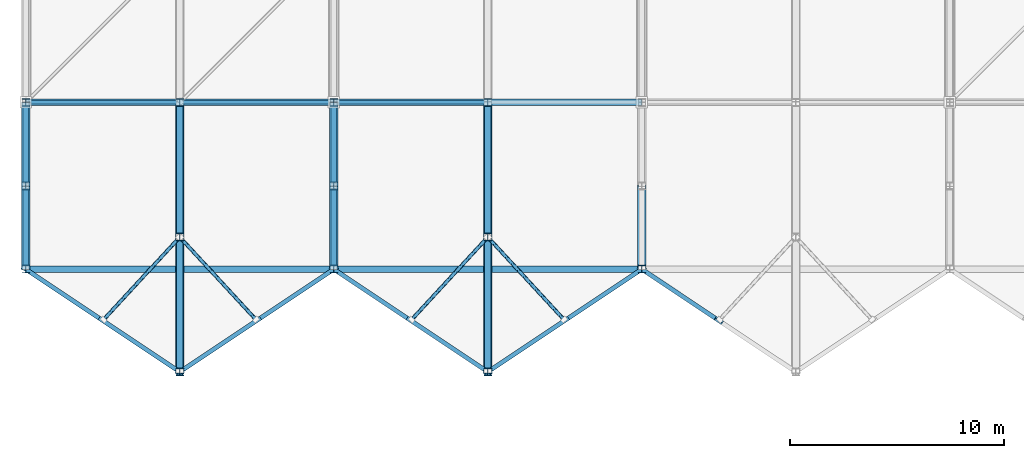
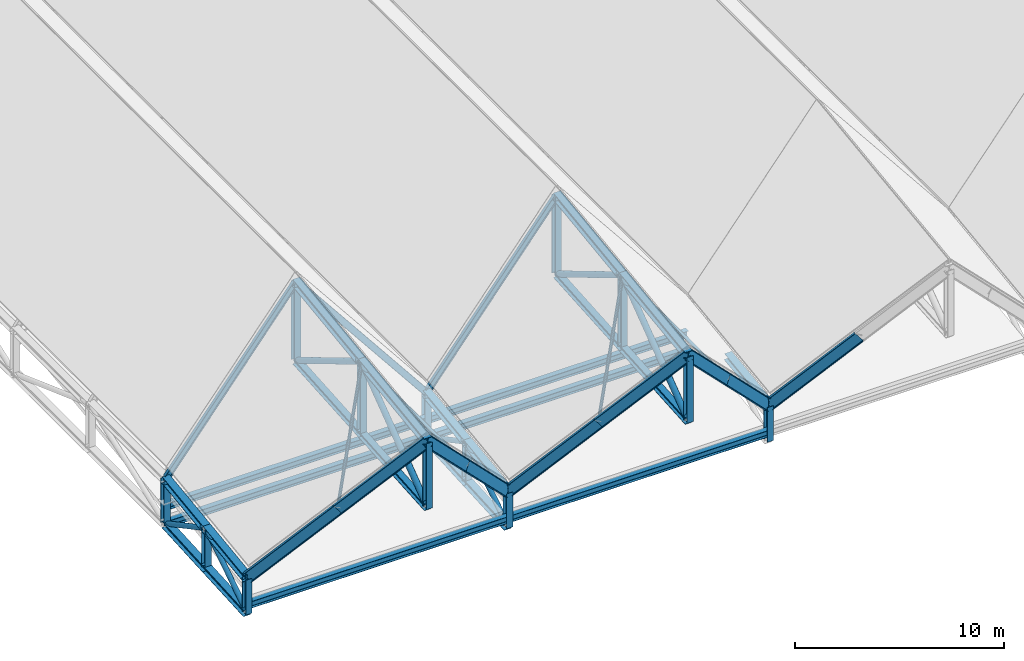
# One storey, part 3 of 60: 54 members, 6 beams.
"""IFC4 building model written with IfcOpenShell, lengths in metres."""

from ifc_helpers import new_model, si_unit, direction, frame, origin, origin_2d, place, context, subcontext, project, spatial, hollow_circle, i_section, extrude, material, material_profile, profile_set, type_object, element, save


model = new_model("IFC4")

# Units and contexts
model_context = context("Model", 3, precision=1e-05, world=origin(), true_north=direction((0.0, 1.0)))
body_context = subcontext(model_context, "Body", "Model", "MODEL_VIEW")
ifc_project = project(units=[si_unit("LENGTHUNIT", "METRE"), si_unit("AREAUNIT", "SQUARE_METRE"), si_unit("VOLUMEUNIT", "CUBIC_METRE"), si_unit("PLANEANGLEUNIT", "RADIAN"), si_unit("MASSUNIT", "GRAM", prefix="KILO")], contexts=[model_context])

# Site, building, storey
site_placement = place(None, origin())
site = spatial("IfcSite", under=ifc_project, at=site_placement, CompositionType="ELEMENT")
building_placement = place(site_placement, origin())
building = spatial("IfcBuilding", under=site, at=building_placement, Name="Vesperath Aquatics Centre", CompositionType="ELEMENT")
storey_placement = place(building_placement, frame((0.0, 0.0, 27.60009765625)))
storey = spatial("IfcBuildingStorey", under=building, at=storey_placement, Name="RF", CompositionType="ELEMENT", Elevation=27.60009765625)

# Beams
ifc_material_1 = material(Name="Steel Q355C", Category="steel")
ifc_material_profile_1 = material_profile(ifc_material_1, i_section(OverallWidth=0.300048828125, OverallDepth=0.389892578125, WebThickness=0.010009765625, FlangeThickness=0.01611328125, FilletRadius=0.02197265625, at=origin_2d()), Name="HM 390x300x10x16")
ifc_profile_set_1 = profile_set([ifc_material_profile_1], Name="Steel Q355C")
beam_type_1 = type_object("IfcBeamType", Name="BM-RB02", PredefinedType="BEAM", material=ifc_profile_set_1)
for number, where, z_axis, x_axis, name in (
    (1, (0.0, 6.60009765625, -12.400146484375), (1.0, 0.0, 0.0), (0.0, 1.0, 0.0), "Natatorium Roof Deck Support Beam B11 G1-6.6"),
    (2, (0.0, 14.39990234375, -12.400146484375), (1.0, 0.0, 0.0), (0.0, 1.0, 0.0), "Natatorium Roof Deck Support Beam B11 G1-14.4"),
):
    element("IfcBeam", number, at=place(storey_placement, frame(where, z_axis=z_axis, x_axis=x_axis)), inside=storey, type_object=beam_type_1, Name=name, PredefinedType="BEAM", context=body_context, shape_type="SweptSolid", body=[
        extrude(i_section(OverallWidth=0.300048828125, OverallDepth=0.389892578125, WebThickness=0.010009765625, FlangeThickness=0.01611328125, FilletRadius=0.02197265625, at=origin_2d()), origin(), (0.0, 0.0, 1.0), 14.39990234375),
    ])
for number, where, z_axis, x_axis, name in (
    (3, (14.39990234375, 6.60009765625, -12.400146484375), (1.0, 0.0, 0.0), (0.0, 1.0, 0.0), "Natatorium Roof Deck Support Beam B11 G2-6.6"),
    (4, (14.39990234375, 14.39990234375, -12.400146484375), (1.0, 0.0, 0.0), (0.0, 1.0, 0.0), "Natatorium Roof Deck Support Beam B11 G2-14.4"),
):
    element("IfcBeam", number, at=place(storey_placement, frame(where, z_axis=z_axis, x_axis=x_axis)), inside=storey, type_object=beam_type_1, Name=name, PredefinedType="BEAM", context=body_context, shape_type="SweptSolid", body=[
        extrude(i_section(OverallWidth=0.300048828125, OverallDepth=0.389892578125, WebThickness=0.010009765625, FlangeThickness=0.01611328125, FilletRadius=0.02197265625, at=origin_2d()), origin(), (0.0, 0.0, 1.0), 14.400146484375),
    ])
ifc_material_profile_2 = material_profile(ifc_material_1, i_section(OverallWidth=0.300048828125, OverallDepth=0.389892578125, WebThickness=0.010009765625, FlangeThickness=0.01611328125, FilletRadius=0.02197265625, at=origin_2d()), Name="HM 390x300x10x16")
ifc_profile_set_2 = profile_set([ifc_material_profile_2], Name="Steel Q355C")
beam_type_2 = type_object("IfcBeamType", Name="BM-RB06", PredefinedType="BEAM", material=ifc_profile_set_2)
beam_1_placement = place(storey_placement, frame((0.0, 14.39990234375, -11.359375), z_axis=(1.0, 0.0, 0.0), x_axis=(0.0, 1.0, 0.0)))
element("IfcBeam", 5, at=beam_1_placement, inside=storey, type_object=beam_type_2, Name="Natatorium Roof Deck Support Beam B11 G1-14.4", PredefinedType="BEAM", context=body_context, shape_type="SweptSolid", body=[
    extrude(i_section(OverallWidth=0.300048828125, OverallDepth=0.389892578125, WebThickness=0.010009765625, FlangeThickness=0.01611328125, FilletRadius=0.02197265625, at=origin_2d()), origin(), (0.0, 0.0, 1.0), 14.39990234375),
])
beam_2_placement = place(storey_placement, frame((14.39990234375, 14.39990234375, -11.359375), z_axis=(1.0, 0.0, 0.0), x_axis=(0.0, 1.0, 0.0)))
element("IfcBeam", 6, at=beam_2_placement, inside=storey, type_object=beam_type_2, Name="Natatorium Roof Deck Support Beam B11 G2-14.4", PredefinedType="BEAM", context=body_context, shape_type="SweptSolid", body=[
    extrude(i_section(OverallWidth=0.300048828125, OverallDepth=0.389892578125, WebThickness=0.010009765625, FlangeThickness=0.01611328125, FilletRadius=0.02197265625, at=origin_2d()), origin(), (0.0, 0.0, 1.0), 14.400146484375),
])

# Members
ifc_material_2 = material(Name="Steel Q355D", Category="steel")
ifc_material_profile_3 = material_profile(ifc_material_2, i_section(OverallWidth=0.199951171875, OverallDepth=0.60009765625, WebThickness=0.010986328125, FlangeThickness=0.01708984375, FilletRadius=0.02197265625, at=origin_2d()), Name="HN 600x200x11x17")
ifc_profile_set_3 = profile_set([ifc_material_profile_3], Name="Steel Q355D")
member_type_1 = type_object("IfcMemberType", Name="MB-AR01", PredefinedType="RAFTER", material=ifc_profile_set_3)
member_1_placement = place(storey_placement, frame((0.0, 6.60009765625, -10.8408203125), z_axis=(0.598412396248, -0.398955124611, 0.694793071759), x_axis=(0.554713217289, 0.832041613482, 0.0)))
element("IfcMember", 7, at=member_1_placement, inside=storey, type_object=member_type_1, Name="Natatorium Cutback Hood Verge Rafter AR01 B1A", PredefinedType="RAFTER", context=body_context, shape_type="SweptSolid", body=[
    extrude(i_section(OverallWidth=0.199951171875, OverallDepth=0.60009765625, WebThickness=0.010986328125, FlangeThickness=0.01708984375, FilletRadius=0.02197265625, at=origin_2d()), origin(), (0.0, 0.0, 1.0), 6.01611328125),
])
member_2_placement = place(storey_placement, frame((3.60009765625, 4.199951171875, -6.660888671875), z_axis=(0.598412907941, -0.398941938627, 0.69480020237), x_axis=(0.554700196225, 0.832050294338, 0.0)))
element("IfcMember", 8, at=member_2_placement, inside=storey, type_object=member_type_1, Name="Natatorium Cutback Hood Verge Rafter AR01 B1B", PredefinedType="RAFTER", context=body_context, shape_type="SweptSolid", body=[
    extrude(i_section(OverallWidth=0.199951171875, OverallDepth=0.60009765625, WebThickness=0.010986328125, FlangeThickness=0.01708984375, FilletRadius=0.02197265625, at=origin_2d()), origin(), (0.0, 0.0, 1.0), 6.015625),
])
for number, where, z_axis, x_axis, name in (
    (9, (14.39990234375, 6.60009765625, -10.8408203125), (-0.598386346033, -0.398964813011, 0.694809944417), (0.554739260842, -0.832024249935, 0.0), "Natatorium Cutback Hood Verge Rafter AR01 B2A"),
    (10, (10.800048828125, 4.199951171875, -6.660888671875), (-0.598438958022, -0.398932249922, 0.694783328451), (0.554674152876, -0.832067655982, 0.0), "Natatorium Cutback Hood Verge Rafter AR01 B2B"),
):
    element("IfcMember", number, at=place(storey_placement, frame(where, z_axis=z_axis, x_axis=x_axis)), inside=storey, type_object=member_type_1, Name=name, PredefinedType="RAFTER", context=body_context, shape_type="SweptSolid", body=[
        extrude(i_section(OverallWidth=0.199951171875, OverallDepth=0.60009765625, WebThickness=0.010986328125, FlangeThickness=0.01708984375, FilletRadius=0.02197265625, at=origin_2d()), origin(), (0.0, 0.0, 1.0), 6.015869140625),
    ])
member_3_placement = place(storey_placement, frame((14.39990234375, 6.60009765625, -10.8408203125), z_axis=(0.598412396248, -0.398955124611, 0.694793071759), x_axis=(0.554713217289, 0.832041613482, 0.0)))
element("IfcMember", 11, at=member_3_placement, inside=storey, type_object=member_type_1, Name="Natatorium Cutback Hood Verge Rafter AR01 B3A", PredefinedType="RAFTER", context=body_context, shape_type="SweptSolid", body=[
    extrude(i_section(OverallWidth=0.199951171875, OverallDepth=0.60009765625, WebThickness=0.010986328125, FlangeThickness=0.01708984375, FilletRadius=0.02197265625, at=origin_2d()), origin(), (0.0, 0.0, 1.0), 6.01611328125),
])
member_4_placement = place(storey_placement, frame((18.0, 4.199951171875, -6.660888671875), z_axis=(0.598438958022, -0.398932249922, 0.694783328451), x_axis=(0.554674152876, 0.832067655982, 0.0)))
element("IfcMember", 12, at=member_4_placement, inside=storey, type_object=member_type_1, Name="Natatorium Cutback Hood Verge Rafter AR01 B3B", PredefinedType="RAFTER", context=body_context, shape_type="SweptSolid", body=[
    extrude(i_section(OverallWidth=0.199951171875, OverallDepth=0.60009765625, WebThickness=0.010986328125, FlangeThickness=0.01708984375, FilletRadius=0.02197265625, at=origin_2d()), origin(), (0.0, 0.0, 1.0), 6.015869140625),
])
member_5_placement = place(storey_placement, frame((28.800048828125, 6.60009765625, -10.8408203125), z_axis=(-0.598412396248, -0.398955124611, 0.694793071759), x_axis=(0.554713217289, -0.832041613482, 0.0)))
element("IfcMember", 13, at=member_5_placement, inside=storey, type_object=member_type_1, Name="Natatorium Cutback Hood Verge Rafter AR01 B4A", PredefinedType="RAFTER", context=body_context, shape_type="SweptSolid", body=[
    extrude(i_section(OverallWidth=0.199951171875, OverallDepth=0.60009765625, WebThickness=0.010986328125, FlangeThickness=0.01708984375, FilletRadius=0.02197265625, at=origin_2d()), origin(), (0.0, 0.0, 1.0), 6.01611328125),
])
member_6_placement = place(storey_placement, frame((25.199951171875, 4.199951171875, -6.660888671875), z_axis=(-0.598412907941, -0.398941938627, 0.69480020237), x_axis=(0.554700196225, -0.832050294338, 0.0)))
element("IfcMember", 14, at=member_6_placement, inside=storey, type_object=member_type_1, Name="Natatorium Cutback Hood Verge Rafter AR01 B4B", PredefinedType="RAFTER", context=body_context, shape_type="SweptSolid", body=[
    extrude(i_section(OverallWidth=0.199951171875, OverallDepth=0.60009765625, WebThickness=0.010986328125, FlangeThickness=0.01708984375, FilletRadius=0.02197265625, at=origin_2d()), origin(), (0.0, 0.0, 1.0), 6.015625),
])
member_7_placement = place(storey_placement, frame((28.800048828125, 6.60009765625, -10.8408203125), z_axis=(0.598386346033, -0.398964813011, 0.694809944417), x_axis=(0.554739260842, 0.832024249935, 0.0)))
element("IfcMember", 15, at=member_7_placement, inside=storey, type_object=member_type_1, Name="Natatorium Cutback Hood Verge Rafter AR01 B5A", PredefinedType="RAFTER", context=body_context, shape_type="SweptSolid", body=[
    extrude(i_section(OverallWidth=0.199951171875, OverallDepth=0.60009765625, WebThickness=0.010986328125, FlangeThickness=0.01708984375, FilletRadius=0.02197265625, at=origin_2d()), origin(), (0.0, 0.0, 1.0), 6.015869140625),
])
ifc_material_profile_4 = material_profile(ifc_material_2, i_section(OverallWidth=0.39990234375, OverallDepth=0.39990234375, WebThickness=0.012939453125, FlangeThickness=0.02099609375, FilletRadius=0.02197265625, at=origin_2d()), Name="HW 400x400x13x21")
ifc_profile_set_4 = profile_set([ifc_material_profile_4], Name="Steel Q355D")
member_type_2 = type_object("IfcMemberType", Name="MB-BC01", PredefinedType="CHORD", material=ifc_profile_set_4)
for number, where, z_axis, x_axis, name in (
    (16, (0.0, 6.60009765625, -12.868408203125), (0.0, 0.998202752751, 0.059927159127), (-1.0, 0.0, 0.0), "Natatorium ROOF TRUSS Bottom Chord BC01 G1-1"),
    (17, (0.0, 10.5, -12.63427734375), (0.0, 0.998202752751, 0.059927159127), (-1.0, 0.0, 0.0), "Natatorium ROOF TRUSS Bottom Chord BC01 G1-2"),
    (18, (14.39990234375, 6.60009765625, -12.868408203125), (0.0, 0.998202752751, 0.059927159127), (-1.0, 0.0, 0.0), "Natatorium ROOF TRUSS Bottom Chord BC01 G3-1"),
    (19, (14.39990234375, 10.5, -12.63427734375), (0.0, 0.998202752751, 0.059927159127), (-1.0, 0.0, 0.0), "Natatorium ROOF TRUSS Bottom Chord BC01 G3-2"),
):
    element("IfcMember", number, at=place(storey_placement, frame(where, z_axis=z_axis, x_axis=x_axis)), inside=storey, type_object=member_type_2, Name=name, PredefinedType="CHORD", context=body_context, shape_type="SweptSolid", body=[
        extrude(i_section(OverallWidth=0.39990234375, OverallDepth=0.39990234375, WebThickness=0.012939453125, FlangeThickness=0.02099609375, FilletRadius=0.02197265625, at=origin_2d()), origin(), (0.0, 0.0, 1.0), 3.906982421875),
    ])
ifc_material_profile_5 = material_profile(ifc_material_2, i_section(OverallWidth=0.35009765625, OverallDepth=0.35009765625, WebThickness=0.011962890625, FlangeThickness=0.01904296875, FilletRadius=0.02001953125, at=origin_2d()), Name="HW 350x350x12x19")
ifc_profile_set_5 = profile_set([ifc_material_profile_5], Name="Steel Q355D")
member_type_3 = type_object("IfcMemberType", Name="MB-BC02", PredefinedType="CHORD", material=ifc_profile_set_5)
member_8_placement = place(storey_placement, frame((7.199951171875, 1.800048828125, -6.32470703125), z_axis=(0.0, 0.997317301509, 0.073199727536), x_axis=(-1.0, 0.0, 0.0)))
element("IfcMember", 20, at=member_8_placement, inside=storey, type_object=member_type_3, Name="Natatorium ROOF TRUSS Bottom Chord BC02 G2-1", PredefinedType="CHORD", context=body_context, shape_type="SweptSolid", body=[
    extrude(i_section(OverallWidth=0.35009765625, OverallDepth=0.35009765625, WebThickness=0.011962890625, FlangeThickness=0.01904296875, FilletRadius=0.02001953125, at=origin_2d()), origin(), (0.0, 0.0, 1.0), 6.31689453125),
])
member_9_placement = place(storey_placement, frame((7.199951171875, 8.10009765625, -5.8623046875), z_axis=(0.0, 0.997319915346, 0.07316410633), x_axis=(-1.0, 0.0, 0.0)))
element("IfcMember", 21, at=member_9_placement, inside=storey, type_object=member_type_3, Name="Natatorium ROOF TRUSS Bottom Chord BC02 G2-2", PredefinedType="CHORD", context=body_context, shape_type="SweptSolid", body=[
    extrude(i_section(OverallWidth=0.35009765625, OverallDepth=0.35009765625, WebThickness=0.011962890625, FlangeThickness=0.01904296875, FilletRadius=0.02001953125, at=origin_2d()), origin(), (0.0, 0.0, 1.0), 6.316650390625),
])
member_10_placement = place(storey_placement, frame((21.60009765625, 1.800048828125, -6.32470703125), z_axis=(0.0, 0.997317301509, 0.073199727536), x_axis=(-1.0, 0.0, 0.0)))
element("IfcMember", 22, at=member_10_placement, inside=storey, type_object=member_type_3, Name="Natatorium ROOF TRUSS Bottom Chord BC02 G4-1", PredefinedType="CHORD", context=body_context, shape_type="SweptSolid", body=[
    extrude(i_section(OverallWidth=0.35009765625, OverallDepth=0.35009765625, WebThickness=0.011962890625, FlangeThickness=0.01904296875, FilletRadius=0.02001953125, at=origin_2d()), origin(), (0.0, 0.0, 1.0), 6.31689453125),
])
member_11_placement = place(storey_placement, frame((21.60009765625, 8.10009765625, -5.8623046875), z_axis=(0.0, 0.997319915346, 0.07316410633), x_axis=(-1.0, 0.0, 0.0)))
element("IfcMember", 23, at=member_11_placement, inside=storey, type_object=member_type_3, Name="Natatorium ROOF TRUSS Bottom Chord BC02 G4-2", PredefinedType="CHORD", context=body_context, shape_type="SweptSolid", body=[
    extrude(i_section(OverallWidth=0.35009765625, OverallDepth=0.35009765625, WebThickness=0.011962890625, FlangeThickness=0.01904296875, FilletRadius=0.02001953125, at=origin_2d()), origin(), (0.0, 0.0, 1.0), 6.316650390625),
])
ifc_material_profile_6 = material_profile(ifc_material_2, hollow_circle(Radius=0.084228515625, WallThickness=0.008056640625, at=origin_2d()), Name="CHS 168.3x8")
ifc_profile_set_6 = profile_set([ifc_material_profile_6], Name="Steel Q355D")
member_type_4 = type_object("IfcMemberType", Name="MB-BR01", PredefinedType="BRACE", material=ifc_profile_set_6)
for number, where, z_axis, x_axis, name in (
    (24, (3.639404296875, 4.24267578125, -6.60595703125), (0.49276760829, 0.533834422765, 0.687168751684), (-0.734805247598, 0.67827814951, 0.0), "Natatorium Cutback Hood Tie Brace BR01 B1"),
    (25, (10.760498046875, 4.24267578125, -6.60595703125), (-0.492741738274, 0.533843410105, 0.687180320476), (-0.73482868654, -0.678252756306, 0.0), "Natatorium Cutback Hood Tie Brace BR01 B2"),
    (26, (18.039306640625, 4.24267578125, -6.60595703125), (0.49276760829, 0.533834422765, 0.687168751684), (-0.734805247598, 0.67827814951, 0.0), "Natatorium Cutback Hood Tie Brace BR01 B3"),
    (27, (25.16064453125, 4.24267578125, -6.60595703125), (-0.49276760829, 0.533834422765, 0.687168751684), (-0.734805247598, -0.67827814951, 0.0), "Natatorium Cutback Hood Tie Brace BR01 B4"),
):
    element("IfcMember", number, at=place(storey_placement, frame(where, z_axis=z_axis, x_axis=x_axis)), inside=storey, type_object=member_type_4, Name=name, PredefinedType="BRACE", context=body_context, shape_type="SweptSolid", body=[
        extrude(hollow_circle(Radius=0.084228515625, WallThickness=0.008056640625, at=origin_2d()), origin(), (0.0, 0.0, 1.0), 7.145751953125),
    ])
ifc_material_profile_7 = material_profile(ifc_material_1, i_section(OverallWidth=0.175048828125, OverallDepth=0.35009765625, WebThickness=0.007080078125, FlangeThickness=0.010986328125, FilletRadius=0.012939453125, at=origin_2d()), Name="HN 350x175x7x11")
ifc_profile_set_7 = profile_set([ifc_material_profile_7], Name="Steel Q355C")
member_type_5 = type_object("IfcMemberType", Name="MB-PR01", PredefinedType="PURLIN", material=ifc_profile_set_7)
for number, where, z_axis, x_axis, name in (
    (28, (0.0, 14.39990234375, -9.800048828125), (0.624692464322, 0.0, 0.780870876022), (0.0, 1.0, 0.0), "Natatorium Roof Purlin PR01 B1-1"),
    (29, (7.199951171875, 14.39990234375, -0.800048828125), (0.624692464322, 0.0, -0.780870876022), (0.0, 1.0, 0.0), "Natatorium Roof Purlin PR01 B2-1"),
    (30, (14.39990234375, 14.39990234375, -9.800048828125), (0.624705380279, 0.0, 0.780860543151), (0.0, 1.0, 0.0), "Natatorium Roof Purlin PR01 B3-1"),
):
    element("IfcMember", number, at=place(storey_placement, frame(where, z_axis=z_axis, x_axis=x_axis)), inside=storey, type_object=member_type_5, Name=name, PredefinedType="PURLIN", context=body_context, shape_type="SweptSolid", body=[
        extrude(i_section(OverallWidth=0.175048828125, OverallDepth=0.35009765625, WebThickness=0.007080078125, FlangeThickness=0.010986328125, FilletRadius=0.012939453125, at=origin_2d()), origin(), (0.0, 0.0, 1.0), 11.525634765625),
    ])
ifc_material_profile_8 = material_profile(ifc_material_2, i_section(OverallWidth=0.406982421875, OverallDepth=0.427978515625, WebThickness=0.02001953125, FlangeThickness=0.034912109375, FilletRadius=0.02197265625, at=origin_2d()), Name="HW 428x407x20x35")
ifc_profile_set_8 = profile_set([ifc_material_profile_8], Name="Steel Q355D")
member_type_6 = type_object("IfcMemberType", Name="MB-TC01", PredefinedType="CHORD", material=ifc_profile_set_8)
member_12_placement = place(storey_placement, frame((7.199951171875, 1.800048828125, -2.481201171875), z_axis=(0.0, 0.991216155177, 0.132251781526), x_axis=(-1.0, 0.0, 0.0)))
element("IfcMember", 31, at=member_12_placement, inside=storey, type_object=member_type_6, Name="Natatorium ROOF TRUSS Top Chord TC01 G2-1", PredefinedType="CHORD", context=body_context, shape_type="SweptSolid", body=[
    extrude(i_section(OverallWidth=0.406982421875, OverallDepth=0.427978515625, WebThickness=0.02001953125, FlangeThickness=0.034912109375, FilletRadius=0.02197265625, at=origin_2d()), origin(), (0.0, 0.0, 1.0), 6.35595703125),
])
member_13_placement = place(storey_placement, frame((7.199951171875, 8.10009765625, -1.640625), z_axis=(0.0, 0.991215483296, 0.132256817121), x_axis=(-1.0, 0.0, 0.0)))
element("IfcMember", 32, at=member_13_placement, inside=storey, type_object=member_type_6, Name="Natatorium ROOF TRUSS Top Chord TC01 G2-2", PredefinedType="CHORD", context=body_context, shape_type="SweptSolid", body=[
    extrude(i_section(OverallWidth=0.406982421875, OverallDepth=0.427978515625, WebThickness=0.02001953125, FlangeThickness=0.034912109375, FilletRadius=0.02197265625, at=origin_2d()), origin(), (0.0, 0.0, 1.0), 6.355712890625),
])
member_14_placement = place(storey_placement, frame((21.60009765625, 1.800048828125, -2.481201171875), z_axis=(0.0, 0.991216155177, 0.132251781526), x_axis=(-1.0, 0.0, 0.0)))
element("IfcMember", 33, at=member_14_placement, inside=storey, type_object=member_type_6, Name="Natatorium ROOF TRUSS Top Chord TC01 G4-1", PredefinedType="CHORD", context=body_context, shape_type="SweptSolid", body=[
    extrude(i_section(OverallWidth=0.406982421875, OverallDepth=0.427978515625, WebThickness=0.02001953125, FlangeThickness=0.034912109375, FilletRadius=0.02197265625, at=origin_2d()), origin(), (0.0, 0.0, 1.0), 6.35595703125),
])
member_15_placement = place(storey_placement, frame((21.60009765625, 8.10009765625, -1.640625), z_axis=(0.0, 0.991215483296, 0.132256817121), x_axis=(-1.0, 0.0, 0.0)))
element("IfcMember", 34, at=member_15_placement, inside=storey, type_object=member_type_6, Name="Natatorium ROOF TRUSS Top Chord TC01 G4-2", PredefinedType="CHORD", context=body_context, shape_type="SweptSolid", body=[
    extrude(i_section(OverallWidth=0.406982421875, OverallDepth=0.427978515625, WebThickness=0.02001953125, FlangeThickness=0.034912109375, FilletRadius=0.02197265625, at=origin_2d()), origin(), (0.0, 0.0, 1.0), 6.355712890625),
])
ifc_material_profile_9 = material_profile(ifc_material_2, i_section(OverallWidth=0.39990234375, OverallDepth=0.39990234375, WebThickness=0.012939453125, FlangeThickness=0.02099609375, FilletRadius=0.02197265625, at=origin_2d()), Name="HW 400x400x13x21")
ifc_profile_set_9 = profile_set([ifc_material_profile_9], Name="Steel Q355D")
member_type_7 = type_object("IfcMemberType", Name="MB-TC02", PredefinedType="CHORD", material=ifc_profile_set_9)
for number, where, z_axis, x_axis, name in (
    (35, (0.0, 6.60009765625, -10.8408203125), (0.0, 0.991218685313, 0.132232816978), (-1.0, 0.0, 0.0), "Natatorium ROOF TRUSS Top Chord TC02 G1-1"),
    (36, (0.0, 10.5, -10.320556640625), (0.0, 0.991210550247, 0.132293783218), (-1.0, 0.0, 0.0), "Natatorium ROOF TRUSS Top Chord TC02 G1-2"),
    (37, (14.39990234375, 6.60009765625, -10.8408203125), (0.0, 0.991218685313, 0.132232816978), (-1.0, 0.0, 0.0), "Natatorium ROOF TRUSS Top Chord TC02 G3-1"),
    (38, (14.39990234375, 10.5, -10.320556640625), (0.0, 0.991210550247, 0.132293783218), (-1.0, 0.0, 0.0), "Natatorium ROOF TRUSS Top Chord TC02 G3-2"),
    (39, (28.800048828125, 6.60009765625, -10.8408203125), (0.0, 0.991218685313, 0.132232816978), (-1.0, 0.0, 0.0), "Natatorium ROOF TRUSS Top Chord TC02 G5-1"),
):
    element("IfcMember", number, at=place(storey_placement, frame(where, z_axis=z_axis, x_axis=x_axis)), inside=storey, type_object=member_type_7, Name=name, PredefinedType="CHORD", context=body_context, shape_type="SweptSolid", body=[
        extrude(i_section(OverallWidth=0.39990234375, OverallDepth=0.39990234375, WebThickness=0.012939453125, FlangeThickness=0.02099609375, FilletRadius=0.02197265625, at=origin_2d()), origin(), (0.0, 0.0, 1.0), 3.9345703125),
    ])
ifc_material_profile_10 = material_profile(ifc_material_2, hollow_circle(Radius=0.161865234375, WallThickness=0.013916015625, at=origin_2d()), Name="CHS 323.9x14")
ifc_profile_set_10 = profile_set([ifc_material_profile_10], Name="Steel Q355D")
member_type_8 = type_object("IfcMemberType", Name="MB-TD01", PredefinedType="BRACE", material=ifc_profile_set_10)
member_16_placement = place(storey_placement, frame((7.199951171875, 1.8642578125, -6.277099609375), z_axis=(0.0, 0.802495859329, 0.596657687254), x_axis=(-1.0, 0.0, 0.0)))
element("IfcMember", 40, at=member_16_placement, inside=storey, type_object=member_type_8, Name="Natatorium ROOF TRUSS Diagonal TD01 G2-1", PredefinedType="BRACE", context=body_context, shape_type="SweptSolid", body=[
    extrude(hollow_circle(Radius=0.161865234375, WallThickness=0.013916015625, at=origin_2d()), origin(), (0.0, 0.0, 1.0), 7.6904296875),
])
member_17_placement = place(storey_placement, frame((7.199951171875, 8.168701171875, -1.681640625), z_axis=(0.0, 0.858724173278, -0.51243808819), x_axis=(-1.0, 0.0, 0.0)))
element("IfcMember", 41, at=member_17_placement, inside=storey, type_object=member_type_8, Name="Natatorium ROOF TRUSS Diagonal TD01 G2-2", PredefinedType="BRACE", context=body_context, shape_type="SweptSolid", body=[
    extrude(hollow_circle(Radius=0.161865234375, WallThickness=0.013916015625, at=origin_2d()), origin(), (0.0, 0.0, 1.0), 7.176513671875),
])
member_18_placement = place(storey_placement, frame((21.60009765625, 1.8642578125, -6.277099609375), z_axis=(0.0, 0.802495859329, 0.596657687254), x_axis=(-1.0, 0.0, 0.0)))
element("IfcMember", 42, at=member_18_placement, inside=storey, type_object=member_type_8, Name="Natatorium ROOF TRUSS Diagonal TD01 G4-1", PredefinedType="BRACE", context=body_context, shape_type="SweptSolid", body=[
    extrude(hollow_circle(Radius=0.161865234375, WallThickness=0.013916015625, at=origin_2d()), origin(), (0.0, 0.0, 1.0), 7.6904296875),
])
member_19_placement = place(storey_placement, frame((21.60009765625, 8.168701171875, -1.681640625), z_axis=(0.0, 0.858724173278, -0.51243808819), x_axis=(-1.0, 0.0, 0.0)))
element("IfcMember", 43, at=member_19_placement, inside=storey, type_object=member_type_8, Name="Natatorium ROOF TRUSS Diagonal TD01 G4-2", PredefinedType="BRACE", context=body_context, shape_type="SweptSolid", body=[
    extrude(hollow_circle(Radius=0.161865234375, WallThickness=0.013916015625, at=origin_2d()), origin(), (0.0, 0.0, 1.0), 7.176513671875),
])
ifc_material_profile_11 = material_profile(ifc_material_2, hollow_circle(Radius=0.136474609375, WallThickness=0.011962890625, at=origin_2d()), Name="CHS 273.0x12")
ifc_profile_set_11 = profile_set([ifc_material_profile_11], Name="Steel Q355D")
member_type_9 = type_object("IfcMemberType", Name="MB-TD02", PredefinedType="BRACE", material=ifc_profile_set_11)
member_20_placement = place(storey_placement, frame((0.0, 6.6669921875, -12.82470703125), z_axis=(0.0, 0.837174151823, 0.546936412684), x_axis=(-1.0, 0.0, 0.0)))
element("IfcMember", 44, at=member_20_placement, inside=storey, type_object=member_type_9, Name="Natatorium ROOF TRUSS Diagonal TD02 G1-1", PredefinedType="BRACE", context=body_context, shape_type="SweptSolid", body=[
    extrude(hollow_circle(Radius=0.136474609375, WallThickness=0.011962890625, at=origin_2d()), origin(), (0.0, 0.0, 1.0), 4.49853515625),
])
member_21_placement = place(storey_placement, frame((0.0, 10.570556640625, -10.358154296875), z_axis=(0.0, 0.882381496589, -0.470534689984), x_axis=(-1.0, 0.0, 0.0)))
element("IfcMember", 45, at=member_21_placement, inside=storey, type_object=member_type_9, Name="Natatorium ROOF TRUSS Diagonal TD02 G1-2", PredefinedType="BRACE", context=body_context, shape_type="SweptSolid", body=[
    extrude(hollow_circle(Radius=0.136474609375, WallThickness=0.011962890625, at=origin_2d()), origin(), (0.0, 0.0, 1.0), 4.259765625),
])
member_22_placement = place(storey_placement, frame((14.39990234375, 6.6669921875, -12.82470703125), z_axis=(0.0, 0.837174151823, 0.546936412684), x_axis=(-1.0, 0.0, 0.0)))
element("IfcMember", 46, at=member_22_placement, inside=storey, type_object=member_type_9, Name="Natatorium ROOF TRUSS Diagonal TD02 G3-1", PredefinedType="BRACE", context=body_context, shape_type="SweptSolid", body=[
    extrude(hollow_circle(Radius=0.136474609375, WallThickness=0.011962890625, at=origin_2d()), origin(), (0.0, 0.0, 1.0), 4.49853515625),
])
member_23_placement = place(storey_placement, frame((14.39990234375, 10.570556640625, -10.358154296875), z_axis=(0.0, 0.882381496589, -0.470534689984), x_axis=(-1.0, 0.0, 0.0)))
element("IfcMember", 47, at=member_23_placement, inside=storey, type_object=member_type_9, Name="Natatorium ROOF TRUSS Diagonal TD02 G3-2", PredefinedType="BRACE", context=body_context, shape_type="SweptSolid", body=[
    extrude(hollow_circle(Radius=0.136474609375, WallThickness=0.011962890625, at=origin_2d()), origin(), (0.0, 0.0, 1.0), 4.259765625),
])
ifc_material_profile_12 = material_profile(ifc_material_2, i_section(OverallWidth=0.35009765625, OverallDepth=0.35009765625, WebThickness=0.011962890625, FlangeThickness=0.01904296875, FilletRadius=0.02001953125, at=origin_2d()), Name="HW 350x350x12x19")
ifc_profile_set_12 = profile_set([ifc_material_profile_12], Name="Steel Q355D")
member_type_10 = type_object("IfcMemberType", Name="MB-TP01", PredefinedType="POST", material=ifc_profile_set_12)
member_24_placement = place(storey_placement, frame((0.0, 6.60009765625, -12.868408203125), z_axis=(0.0, 0.0, 1.0), x_axis=(1.0, 0.0, 0.0)))
element("IfcMember", 48, at=member_24_placement, inside=storey, type_object=member_type_10, Name="Natatorium ROOF TRUSS Post TP01 G1-1", PredefinedType="POST", context=body_context, shape_type="SweptSolid", body=[
    extrude(i_section(OverallWidth=0.35009765625, OverallDepth=0.35009765625, WebThickness=0.011962890625, FlangeThickness=0.01904296875, FilletRadius=0.02001953125, at=origin_2d()), origin(), (0.0, 0.0, 1.0), 2.027587890625),
])
member_25_placement = place(storey_placement, frame((0.0, 10.5, -12.63427734375), z_axis=(0.0, 0.0, 1.0), x_axis=(1.0, 0.0, 0.0)))
element("IfcMember", 49, at=member_25_placement, inside=storey, type_object=member_type_10, Name="Natatorium ROOF TRUSS Post TP01 G1-2", PredefinedType="POST", context=body_context, shape_type="SweptSolid", body=[
    extrude(i_section(OverallWidth=0.35009765625, OverallDepth=0.35009765625, WebThickness=0.011962890625, FlangeThickness=0.01904296875, FilletRadius=0.02001953125, at=origin_2d()), origin(), (0.0, 0.0, 1.0), 2.313720703125),
])
member_26_placement = place(storey_placement, frame((0.0, 14.39990234375, -12.400146484375), z_axis=(0.0, 0.0, 1.0), x_axis=(1.0, 0.0, 0.0)))
element("IfcMember", 50, at=member_26_placement, inside=storey, type_object=member_type_10, Name="Natatorium ROOF TRUSS Post TP01 G1-3", PredefinedType="POST", context=body_context, shape_type="SweptSolid", body=[
    extrude(i_section(OverallWidth=0.35009765625, OverallDepth=0.35009765625, WebThickness=0.011962890625, FlangeThickness=0.01904296875, FilletRadius=0.02001953125, at=origin_2d()), origin(), (0.0, 0.0, 1.0), 2.60009765625),
])
member_27_placement = place(storey_placement, frame((7.199951171875, 1.800048828125, -6.32470703125), z_axis=(0.0, 0.0, 1.0), x_axis=(1.0, 0.0, 0.0)))
element("IfcMember", 51, at=member_27_placement, inside=storey, type_object=member_type_10, Name="Natatorium ROOF TRUSS Post TP01 G2-1", PredefinedType="POST", context=body_context, shape_type="SweptSolid", body=[
    extrude(i_section(OverallWidth=0.35009765625, OverallDepth=0.35009765625, WebThickness=0.011962890625, FlangeThickness=0.01904296875, FilletRadius=0.02001953125, at=origin_2d()), origin(), (0.0, 0.0, 1.0), 3.843505859375),
])
member_28_placement = place(storey_placement, frame((7.199951171875, 8.10009765625, -5.8623046875), z_axis=(0.0, 0.0, 1.0), x_axis=(1.0, 0.0, 0.0)))
element("IfcMember", 52, at=member_28_placement, inside=storey, type_object=member_type_10, Name="Natatorium ROOF TRUSS Post TP01 G2-2", PredefinedType="POST", context=body_context, shape_type="SweptSolid", body=[
    extrude(i_section(OverallWidth=0.35009765625, OverallDepth=0.35009765625, WebThickness=0.011962890625, FlangeThickness=0.01904296875, FilletRadius=0.02001953125, at=origin_2d()), origin(), (0.0, 0.0, 1.0), 4.2216796875),
])
member_29_placement = place(storey_placement, frame((7.199951171875, 14.39990234375, -5.400146484375), z_axis=(0.0, 0.0, 1.0), x_axis=(1.0, 0.0, 0.0)))
element("IfcMember", 53, at=member_29_placement, inside=storey, type_object=member_type_10, Name="Natatorium ROOF TRUSS Post TP01 G2-3", PredefinedType="POST", context=body_context, shape_type="SweptSolid", body=[
    extrude(i_section(OverallWidth=0.35009765625, OverallDepth=0.35009765625, WebThickness=0.011962890625, FlangeThickness=0.01904296875, FilletRadius=0.02001953125, at=origin_2d()), origin(), (0.0, 0.0, 1.0), 4.60009765625),
])
member_30_placement = place(storey_placement, frame((14.39990234375, 6.60009765625, -12.868408203125), z_axis=(0.0, 0.0, 1.0), x_axis=(1.0, 0.0, 0.0)))
element("IfcMember", 54, at=member_30_placement, inside=storey, type_object=member_type_10, Name="Natatorium ROOF TRUSS Post TP01 G3-1", PredefinedType="POST", context=body_context, shape_type="SweptSolid", body=[
    extrude(i_section(OverallWidth=0.35009765625, OverallDepth=0.35009765625, WebThickness=0.011962890625, FlangeThickness=0.01904296875, FilletRadius=0.02001953125, at=origin_2d()), origin(), (0.0, 0.0, 1.0), 2.027587890625),
])
member_31_placement = place(storey_placement, frame((14.39990234375, 10.5, -12.63427734375), z_axis=(0.0, 0.0, 1.0), x_axis=(1.0, 0.0, 0.0)))
element("IfcMember", 55, at=member_31_placement, inside=storey, type_object=member_type_10, Name="Natatorium ROOF TRUSS Post TP01 G3-2", PredefinedType="POST", context=body_context, shape_type="SweptSolid", body=[
    extrude(i_section(OverallWidth=0.35009765625, OverallDepth=0.35009765625, WebThickness=0.011962890625, FlangeThickness=0.01904296875, FilletRadius=0.02001953125, at=origin_2d()), origin(), (0.0, 0.0, 1.0), 2.313720703125),
])
member_32_placement = place(storey_placement, frame((14.39990234375, 14.39990234375, -12.400146484375), z_axis=(0.0, 0.0, 1.0), x_axis=(1.0, 0.0, 0.0)))
element("IfcMember", 56, at=member_32_placement, inside=storey, type_object=member_type_10, Name="Natatorium ROOF TRUSS Post TP01 G3-3", PredefinedType="POST", context=body_context, shape_type="SweptSolid", body=[
    extrude(i_section(OverallWidth=0.35009765625, OverallDepth=0.35009765625, WebThickness=0.011962890625, FlangeThickness=0.01904296875, FilletRadius=0.02001953125, at=origin_2d()), origin(), (0.0, 0.0, 1.0), 2.60009765625),
])
member_33_placement = place(storey_placement, frame((21.60009765625, 1.800048828125, -6.32470703125), z_axis=(0.0, 0.0, 1.0), x_axis=(1.0, 0.0, 0.0)))
element("IfcMember", 57, at=member_33_placement, inside=storey, type_object=member_type_10, Name="Natatorium ROOF TRUSS Post TP01 G4-1", PredefinedType="POST", context=body_context, shape_type="SweptSolid", body=[
    extrude(i_section(OverallWidth=0.35009765625, OverallDepth=0.35009765625, WebThickness=0.011962890625, FlangeThickness=0.01904296875, FilletRadius=0.02001953125, at=origin_2d()), origin(), (0.0, 0.0, 1.0), 3.843505859375),
])
member_34_placement = place(storey_placement, frame((21.60009765625, 8.10009765625, -5.8623046875), z_axis=(0.0, 0.0, 1.0), x_axis=(1.0, 0.0, 0.0)))
element("IfcMember", 58, at=member_34_placement, inside=storey, type_object=member_type_10, Name="Natatorium ROOF TRUSS Post TP01 G4-2", PredefinedType="POST", context=body_context, shape_type="SweptSolid", body=[
    extrude(i_section(OverallWidth=0.35009765625, OverallDepth=0.35009765625, WebThickness=0.011962890625, FlangeThickness=0.01904296875, FilletRadius=0.02001953125, at=origin_2d()), origin(), (0.0, 0.0, 1.0), 4.2216796875),
])
member_35_placement = place(storey_placement, frame((21.60009765625, 14.39990234375, -5.400146484375), z_axis=(0.0, 0.0, 1.0), x_axis=(1.0, 0.0, 0.0)))
element("IfcMember", 59, at=member_35_placement, inside=storey, type_object=member_type_10, Name="Natatorium ROOF TRUSS Post TP01 G4-3", PredefinedType="POST", context=body_context, shape_type="SweptSolid", body=[
    extrude(i_section(OverallWidth=0.35009765625, OverallDepth=0.35009765625, WebThickness=0.011962890625, FlangeThickness=0.01904296875, FilletRadius=0.02001953125, at=origin_2d()), origin(), (0.0, 0.0, 1.0), 4.60009765625),
])
member_36_placement = place(storey_placement, frame((28.800048828125, 6.60009765625, -12.868408203125), z_axis=(0.0, 0.0, 1.0), x_axis=(1.0, 0.0, 0.0)))
element("IfcMember", 60, at=member_36_placement, inside=storey, type_object=member_type_10, Name="Natatorium ROOF TRUSS Post TP01 G5-1", PredefinedType="POST", context=body_context, shape_type="SweptSolid", body=[
    extrude(i_section(OverallWidth=0.35009765625, OverallDepth=0.35009765625, WebThickness=0.011962890625, FlangeThickness=0.01904296875, FilletRadius=0.02001953125, at=origin_2d()), origin(), (0.0, 0.0, 1.0), 2.027587890625),
])

save(model, "model.ifc")
